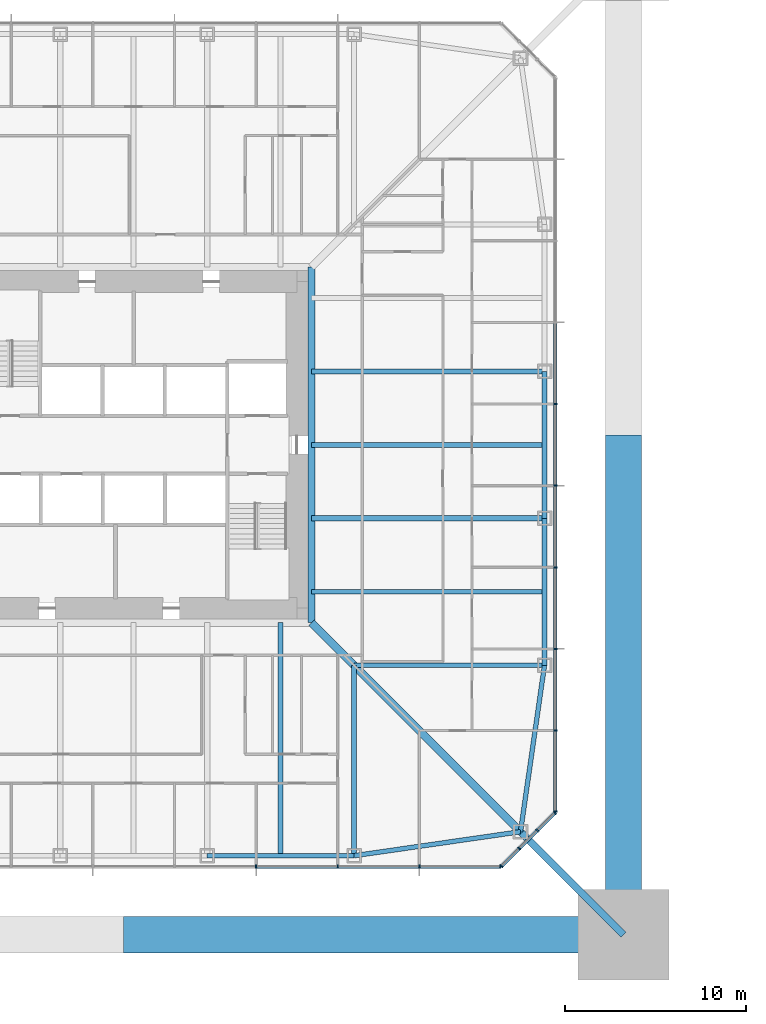
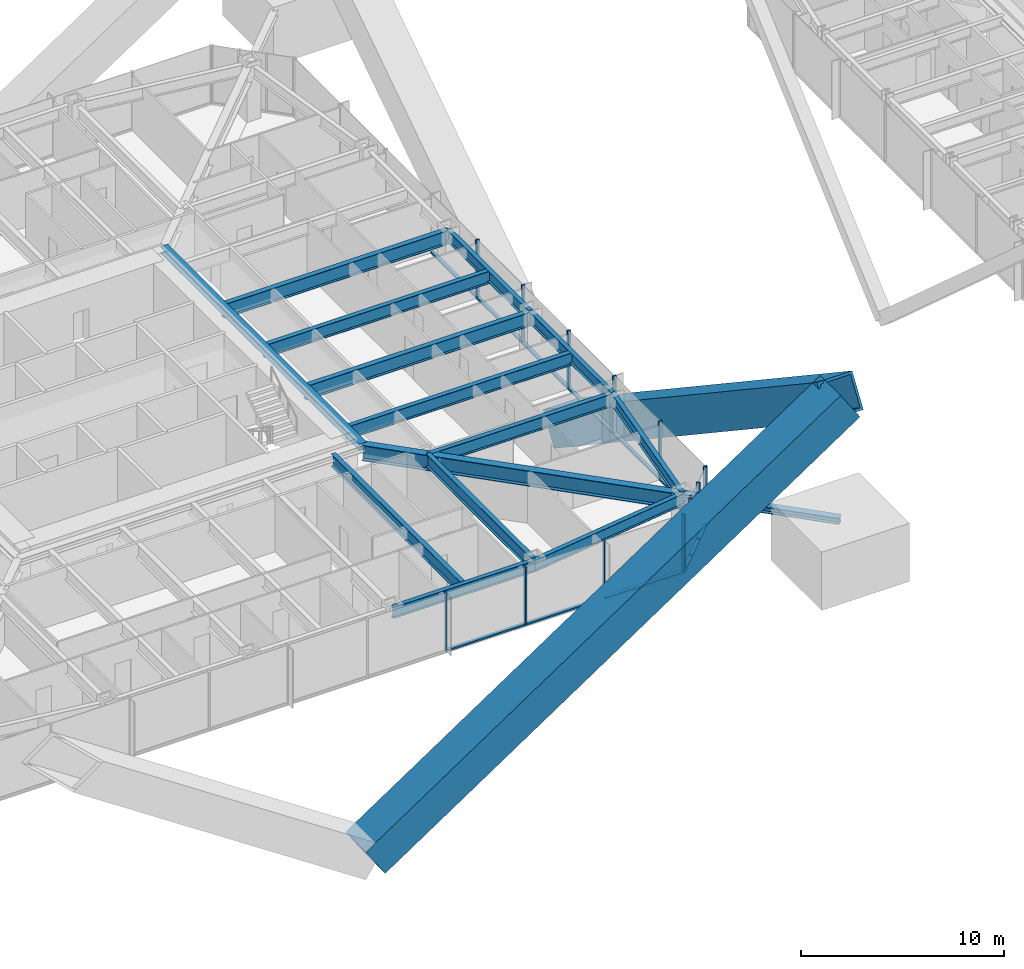
# One storey, part 5 of 27: 29 members, 14 beams, 3 elements without a shape of their own.
"""IFC4 building model written with IfcOpenShell, lengths in metres."""

from ifc_helpers import new_model, si_unit, direction, frame, origin, origin_2d, place, context, subcontext, project, spatial, rectangle, hollow_rectangle, i_section, extrude, material, material_profile, profile_set, type_object, element, aggregate, save


model = new_model("IFC4")

# Units and contexts
model_context = context("Model", 3, precision=1e-05, world=origin(), true_north=direction((0.0, 1.0)))
body_context = subcontext(model_context, "Body", "Model", "MODEL_VIEW")
ifc_project = project(units=[si_unit("LENGTHUNIT", "METRE"), si_unit("AREAUNIT", "SQUARE_METRE"), si_unit("VOLUMEUNIT", "CUBIC_METRE"), si_unit("PLANEANGLEUNIT", "RADIAN"), si_unit("MASSUNIT", "GRAM", prefix="KILO")], contexts=[model_context])

# Site, building, storey
site_placement = place(None, origin())
site = spatial("IfcSite", under=ifc_project, at=site_placement, CompositionType="ELEMENT")
building_placement = place(site_placement, origin())
building = spatial("IfcBuilding", under=site, at=building_placement, Name="Iwan Alto Co-Living Towers", CompositionType="ELEMENT")
storey_placement = place(building_placement, frame((0.0, 0.0, 25.5)))
storey = spatial("IfcBuildingStorey", under=building, at=storey_placement, Name="L06", CompositionType="ELEMENT", Elevation=25.5)

# Curtain wall, members
ifc_material_1 = material(Name="Bronze aluminium unitised frame", Category="aluminium")
curtain_wall_type_1 = type_object("IfcCurtainWallType", Name="CURTAIN WALL CW-A", PredefinedType="NOTDEFINED", material=ifc_material_1)
curtain_wall_1_placement = place(storey_placement, origin())
curtain_wall_1 = element("IfcCurtainWall", 1, at=curtain_wall_1_placement, inside=storey, type_object=curtain_wall_type_1, Name="T1 curtain wall S L06", PredefinedType="NOTDEFINED")
ifc_material_2 = material(Name="Aluminium 6063-T6 bronze anodised", Category="aluminium")
ifc_material_profile_1 = material_profile(ifc_material_2, rectangle(XDim=0.199951171875, YDim=0.080078125, at=origin_2d()), Name="AL 80X200")
ifc_profile_set_1 = profile_set([ifc_material_profile_1], Name="Aluminium 6063-T6 bronze anodised")
member_type_1 = type_object("IfcMemberType", Name="CW-A MULLION 80X200", PredefinedType="MULLION", material=ifc_profile_set_1)
member_1_placement = place(storey_placement, frame((6.75, -23.25, 0.0), z_axis=(0.0, 0.0, 1.0), x_axis=(0.0, 1.0, 0.0)))
member_1 = element("IfcMember", 2, at=member_1_placement, type_object=member_type_1, Name="CW-A mullion 7", PredefinedType="MULLION", context=body_context, shape_type="SweptSolid", body=[
    extrude(rectangle(XDim=0.199951171875, YDim=0.080078125, at=origin_2d()), origin(), (0.0, 0.0, 1.0), 3.5),
])
member_2_placement = place(storey_placement, frame((11.25, -23.25, 0.0), z_axis=(0.0, 0.0, 1.0), x_axis=(0.0, 1.0, 0.0)))
member_2 = element("IfcMember", 3, at=member_2_placement, type_object=member_type_1, Name="CW-A mullion 8", PredefinedType="MULLION", context=body_context, shape_type="SweptSolid", body=[
    extrude(rectangle(XDim=0.199951171875, YDim=0.080078125, at=origin_2d()), origin(), (0.0, 0.0, 1.0), 3.5),
])
member_3_placement = place(storey_placement, frame((15.75, -23.25, 0.0), z_axis=(0.0, 0.0, 1.0), x_axis=(0.0, 1.0, 0.0)))
member_3 = element("IfcMember", 4, at=member_3_placement, type_object=member_type_1, Name="CW-A mullion 9", PredefinedType="MULLION", context=body_context, shape_type="SweptSolid", body=[
    extrude(rectangle(XDim=0.199951171875, YDim=0.080078125, at=origin_2d()), origin(), (0.0, 0.0, 1.0), 3.5),
])
member_4_placement = place(storey_placement, frame((20.2099609375, -23.25, 0.0), z_axis=(0.0, 0.0, 1.0), x_axis=(0.0, 1.0, 0.0)))
member_4 = element("IfcMember", 5, at=member_4_placement, type_object=member_type_1, Name="CW-A mullion 10", PredefinedType="MULLION", context=body_context, shape_type="SweptSolid", body=[
    extrude(rectangle(XDim=0.199951171875, YDim=0.080078125, at=origin_2d()), origin(), (0.0, 0.0, 1.0), 3.5),
])

curtain_wall_2_placement = place(storey_placement, origin())
curtain_wall_2 = element("IfcCurtainWall", 6, at=curtain_wall_2_placement, inside=storey, type_object=curtain_wall_type_1, Name="T1 curtain wall E L06", PredefinedType="NOTDEFINED")
member_5_placement = place(storey_placement, frame((23.25, -20.2099609375, 0.0), z_axis=(0.0, 0.0, 1.0), x_axis=(-1.0, 0.0, 0.0)))
member_5 = element("IfcMember", 7, at=member_5_placement, type_object=member_type_1, Name="CW-A mullion 1", PredefinedType="MULLION", context=body_context, shape_type="SweptSolid", body=[
    extrude(rectangle(XDim=0.199951171875, YDim=0.080078125, at=origin_2d()), origin(), (0.0, 0.0, 1.0), 3.5),
])
member_6_placement = place(storey_placement, frame((23.25, -15.75, 0.0), z_axis=(0.0, 0.0, 1.0), x_axis=(-1.0, 0.0, 0.0)))
member_6 = element("IfcMember", 8, at=member_6_placement, type_object=member_type_1, Name="CW-A mullion 2", PredefinedType="MULLION", context=body_context, shape_type="SweptSolid", body=[
    extrude(rectangle(XDim=0.199951171875, YDim=0.080078125, at=origin_2d()), origin(), (0.0, 0.0, 1.0), 3.5),
])
member_7_placement = place(storey_placement, frame((23.25, -11.25, 0.0), z_axis=(0.0, 0.0, 1.0), x_axis=(-1.0, 0.0, 0.0)))
member_7 = element("IfcMember", 9, at=member_7_placement, type_object=member_type_1, Name="CW-A mullion 3", PredefinedType="MULLION", context=body_context, shape_type="SweptSolid", body=[
    extrude(rectangle(XDim=0.199951171875, YDim=0.080078125, at=origin_2d()), origin(), (0.0, 0.0, 1.0), 3.5),
])
member_8_placement = place(storey_placement, frame((23.25, -6.75, 0.0), z_axis=(0.0, 0.0, 1.0), x_axis=(-1.0, 0.0, 0.0)))
member_8 = element("IfcMember", 10, at=member_8_placement, type_object=member_type_1, Name="CW-A mullion 4", PredefinedType="MULLION", context=body_context, shape_type="SweptSolid", body=[
    extrude(rectangle(XDim=0.199951171875, YDim=0.080078125, at=origin_2d()), origin(), (0.0, 0.0, 1.0), 3.5),
])
member_9_placement = place(storey_placement, frame((23.25, -2.25, 0.0), z_axis=(0.0, 0.0, 1.0), x_axis=(-1.0, 0.0, 0.0)))
member_9 = element("IfcMember", 11, at=member_9_placement, type_object=member_type_1, Name="CW-A mullion 5", PredefinedType="MULLION", context=body_context, shape_type="SweptSolid", body=[
    extrude(rectangle(XDim=0.199951171875, YDim=0.080078125, at=origin_2d()), origin(), (0.0, 0.0, 1.0), 3.5),
])
member_10_placement = place(storey_placement, frame((23.25, 2.25, 0.0), z_axis=(0.0, 0.0, 1.0), x_axis=(-1.0, 0.0, 0.0)))
member_10 = element("IfcMember", 12, at=member_10_placement, type_object=member_type_1, Name="CW-A mullion 6", PredefinedType="MULLION", context=body_context, shape_type="SweptSolid", body=[
    extrude(rectangle(XDim=0.199951171875, YDim=0.080078125, at=origin_2d()), origin(), (0.0, 0.0, 1.0), 3.5),
])

# Member
ifc_material_3 = material(Name="Aluminium 6063-T6 bronze anodised", Category="aluminium")
ifc_material_profile_2 = material_profile(ifc_material_3, rectangle(XDim=0.199951171875, YDim=0.10009765625, at=origin_2d()), Name="AL 200X100")
ifc_profile_set_2 = profile_set([ifc_material_profile_2], Name="Aluminium 6063-T6 bronze anodised")
member_type_2 = type_object("IfcMemberType", Name="CW-A TRANSOM 200X100", PredefinedType="USERDEFINED", material=ifc_profile_set_2)
member_11_placement = place(storey_placement, frame((6.7900390625, -23.25, 0.050048828125), z_axis=(1.0, 0.0, 0.0), x_axis=(0.0, 1.0, 0.0)))
member_11 = element("IfcMember", 13, at=member_11_placement, type_object=member_type_2, Name="CW-A transom 7.1", ObjectType="TRANSOM", PredefinedType="USERDEFINED", context=body_context, shape_type="SweptSolid", body=[
    extrude(rectangle(XDim=0.199951171875, YDim=0.10009765625, at=origin_2d()), origin(), (0.0, 0.0, 1.0), 4.419921875),
])

member_12_placement = place(storey_placement, frame((11.2900390625, -23.25, 0.050048828125), z_axis=(1.0, 0.0, 0.0), x_axis=(0.0, 1.0, 0.0)))
member_12 = element("IfcMember", 14, at=member_12_placement, type_object=member_type_2, Name="CW-A transom 8.1", ObjectType="TRANSOM", PredefinedType="USERDEFINED", context=body_context, shape_type="SweptSolid", body=[
    extrude(rectangle(XDim=0.199951171875, YDim=0.10009765625, at=origin_2d()), origin(), (0.0, 0.0, 1.0), 4.419921875),
])

member_13_placement = place(storey_placement, frame((15.7900390625, -23.25, 0.050048828125), z_axis=(1.0, 0.0, 0.0), x_axis=(0.0, 1.0, 0.0)))
member_13 = element("IfcMember", 15, at=member_13_placement, type_object=member_type_2, Name="CW-A transom 9.1", ObjectType="TRANSOM", PredefinedType="USERDEFINED", context=body_context, shape_type="SweptSolid", body=[
    extrude(rectangle(XDim=0.199951171875, YDim=0.10009765625, at=origin_2d()), origin(), (0.0, 0.0, 1.0), 4.3798828125),
])

aggregate(curtain_wall_1, [member_1, member_2, member_3, member_4, member_11, member_12, member_13])

member_14_placement = place(storey_placement, frame((23.25, -20.169921875, 0.050048828125), z_axis=(0.0, 1.0, 0.0), x_axis=(-1.0, 0.0, 0.0)))
member_14 = element("IfcMember", 16, at=member_14_placement, type_object=member_type_2, Name="CW-A transom 1.1", ObjectType="TRANSOM", PredefinedType="USERDEFINED", context=body_context, shape_type="SweptSolid", body=[
    extrude(rectangle(XDim=0.199951171875, YDim=0.10009765625, at=origin_2d()), origin(), (0.0, 0.0, 1.0), 4.3798828125),
])

member_15_placement = place(storey_placement, frame((23.25, -15.7099609375, 0.050048828125), z_axis=(0.0, 1.0, 0.0), x_axis=(-1.0, 0.0, 0.0)))
member_15 = element("IfcMember", 17, at=member_15_placement, type_object=member_type_2, Name="CW-A transom 2.1", ObjectType="TRANSOM", PredefinedType="USERDEFINED", context=body_context, shape_type="SweptSolid", body=[
    extrude(rectangle(XDim=0.199951171875, YDim=0.10009765625, at=origin_2d()), origin(), (0.0, 0.0, 1.0), 4.419921875),
])

member_16_placement = place(storey_placement, frame((23.25, -11.2099609375, 0.050048828125), z_axis=(0.0, 1.0, 0.0), x_axis=(-1.0, 0.0, 0.0)))
member_16 = element("IfcMember", 18, at=member_16_placement, type_object=member_type_2, Name="CW-A transom 3.1", ObjectType="TRANSOM", PredefinedType="USERDEFINED", context=body_context, shape_type="SweptSolid", body=[
    extrude(rectangle(XDim=0.199951171875, YDim=0.10009765625, at=origin_2d()), origin(), (0.0, 0.0, 1.0), 4.419921875),
])

member_17_placement = place(storey_placement, frame((23.25, -6.7099609375, 0.050048828125), z_axis=(0.0, 1.0, 0.0), x_axis=(-1.0, 0.0, 0.0)))
member_17 = element("IfcMember", 19, at=member_17_placement, type_object=member_type_2, Name="CW-A transom 4.1", ObjectType="TRANSOM", PredefinedType="USERDEFINED", context=body_context, shape_type="SweptSolid", body=[
    extrude(rectangle(XDim=0.199951171875, YDim=0.10009765625, at=origin_2d()), origin(), (0.0, 0.0, 1.0), 4.419921875),
])

member_18_placement = place(storey_placement, frame((23.25, -2.2099609375, 0.050048828125), z_axis=(0.0, 1.0, 0.0), x_axis=(-1.0, 0.0, 0.0)))
member_18 = element("IfcMember", 20, at=member_18_placement, type_object=member_type_2, Name="CW-A transom 5.1", ObjectType="TRANSOM", PredefinedType="USERDEFINED", context=body_context, shape_type="SweptSolid", body=[
    extrude(rectangle(XDim=0.199951171875, YDim=0.10009765625, at=origin_2d()), origin(), (0.0, 0.0, 1.0), 4.419921875),
])

member_19_placement = place(storey_placement, frame((23.25, 2.2900390625, 0.050048828125), z_axis=(0.0, 1.0, 0.0), x_axis=(-1.0, 0.0, 0.0)))
member_19 = element("IfcMember", 21, at=member_19_placement, type_object=member_type_2, Name="CW-A transom 6.1", ObjectType="TRANSOM", PredefinedType="USERDEFINED", context=body_context, shape_type="SweptSolid", body=[
    extrude(rectangle(XDim=0.199951171875, YDim=0.10009765625, at=origin_2d()), origin(), (0.0, 0.0, 1.0), 4.419921875),
])

aggregate(curtain_wall_2, [member_5, member_6, member_7, member_8, member_9, member_10, member_14, member_15, member_16, member_17, member_18, member_19])

# Curtain wall, members
ifc_material_4 = material(Name="Bronze aluminium unitised frame", Category="aluminium")
curtain_wall_type_2 = type_object("IfcCurtainWallType", Name="CURTAIN WALL CW-B", PredefinedType="NOTDEFINED", material=ifc_material_4)
curtain_wall_3_placement = place(storey_placement, origin())
curtain_wall_3 = element("IfcCurtainWall", 22, at=curtain_wall_3_placement, inside=storey, type_object=curtain_wall_type_2, Name="T1 chamfer curtain wall SE L06", PredefinedType="NOTDEFINED")
ifc_material_5 = material(Name="Aluminium 6063-T6 bronze anodised", Category="aluminium")
ifc_material_profile_3 = material_profile(ifc_material_5, rectangle(XDim=0.199951171875, YDim=0.080078125, at=origin_2d()), Name="AL 80X200")
ifc_profile_set_3 = profile_set([ifc_material_profile_3], Name="Aluminium 6063-T6 bronze anodised")
member_type_3 = type_object("IfcMemberType", Name="CW-B MULLION 80X200", PredefinedType="MULLION", material=ifc_profile_set_3)
member_20_placement = place(storey_placement, frame((20.2783203125, -23.2216796875, 0.0), z_axis=(0.0, 0.0, 1.0), x_axis=(-0.707106781187, 0.707106781187, 0.0)))
member_20 = element("IfcMember", 23, at=member_20_placement, type_object=member_type_3, Name="CW-B mullion 1", PredefinedType="MULLION", context=body_context, shape_type="SweptSolid", body=[
    extrude(rectangle(XDim=0.199951171875, YDim=0.080078125, at=origin_2d()), origin(), (0.0, 0.0, 1.0), 3.5),
])
member_21_placement = place(storey_placement, frame((21.25, -22.25, 0.0), z_axis=(0.0, 0.0, 1.0), x_axis=(-0.707106781187, 0.707106781187, 0.0)))
member_21 = element("IfcMember", 24, at=member_21_placement, type_object=member_type_3, Name="CW-B mullion 2", PredefinedType="MULLION", context=body_context, shape_type="SweptSolid", body=[
    extrude(rectangle(XDim=0.199951171875, YDim=0.080078125, at=origin_2d()), origin(), (0.0, 0.0, 1.0), 3.5),
])
member_22_placement = place(storey_placement, frame((22.25, -21.25, 0.0), z_axis=(0.0, 0.0, 1.0), x_axis=(-0.707106781187, 0.707106781187, 0.0)))
member_22 = element("IfcMember", 25, at=member_22_placement, type_object=member_type_3, Name="CW-B mullion 3", PredefinedType="MULLION", context=body_context, shape_type="SweptSolid", body=[
    extrude(rectangle(XDim=0.199951171875, YDim=0.080078125, at=origin_2d()), origin(), (0.0, 0.0, 1.0), 3.5),
])
member_23_placement = place(storey_placement, frame((23.2216796875, -20.2783203125, 0.0), z_axis=(0.0, 0.0, 1.0), x_axis=(-0.707106781187, 0.707106781187, 0.0)))
member_23 = element("IfcMember", 26, at=member_23_placement, type_object=member_type_3, Name="CW-B mullion 4", PredefinedType="MULLION", context=body_context, shape_type="SweptSolid", body=[
    extrude(rectangle(XDim=0.199951171875, YDim=0.080078125, at=origin_2d()), origin(), (0.0, 0.0, 1.0), 3.5),
])
ifc_material_6 = material(Name="Aluminium 6063-T6 bronze anodised", Category="aluminium")
ifc_material_profile_4 = material_profile(ifc_material_6, rectangle(XDim=0.199951171875, YDim=0.10009765625, at=origin_2d()), Name="AL 200X100")
ifc_profile_set_4 = profile_set([ifc_material_profile_4], Name="Aluminium 6063-T6 bronze anodised")
member_type_4 = type_object("IfcMemberType", Name="CW-B TRANSOM 200X100", PredefinedType="USERDEFINED", material=ifc_profile_set_4)
member_24_placement = place(storey_placement, frame((20.306640625, -23.193359375, 0.050048828125), z_axis=(0.707106781187, 0.707106781187, 0.0), x_axis=(-0.707106781187, 0.707106781187, 0.0)))
member_24 = element("IfcMember", 27, at=member_24_placement, type_object=member_type_4, Name="CW-B transom 1.1", ObjectType="TRANSOM", PredefinedType="USERDEFINED", context=body_context, shape_type="SweptSolid", body=[
    extrude(rectangle(XDim=0.199951171875, YDim=0.10009765625, at=origin_2d()), origin(), (0.0, 0.0, 1.0), 1.2939453125),
])
member_25_placement = place(storey_placement, frame((21.2783203125, -22.2216796875, 0.050048828125), z_axis=(0.707106781187, 0.707106781187, 0.0), x_axis=(-0.707106781187, 0.707106781187, 0.0)))
member_25 = element("IfcMember", 28, at=member_25_placement, type_object=member_type_4, Name="CW-B transom 2.1", ObjectType="TRANSOM", PredefinedType="USERDEFINED", context=body_context, shape_type="SweptSolid", body=[
    extrude(rectangle(XDim=0.199951171875, YDim=0.10009765625, at=origin_2d()), origin(), (0.0, 0.0, 1.0), 1.334228515625),
])
member_26_placement = place(storey_placement, frame((22.2783203125, -21.2216796875, 0.050048828125), z_axis=(0.707106781187, 0.707106781187, 0.0), x_axis=(-0.707106781187, 0.707106781187, 0.0)))
member_26 = element("IfcMember", 29, at=member_26_placement, type_object=member_type_4, Name="CW-B transom 3.1", ObjectType="TRANSOM", PredefinedType="USERDEFINED", context=body_context, shape_type="SweptSolid", body=[
    extrude(rectangle(XDim=0.199951171875, YDim=0.10009765625, at=origin_2d()), origin(), (0.0, 0.0, 1.0), 1.2939453125),
])
aggregate(curtain_wall_3, [member_20, member_21, member_22, member_23, member_24, member_25, member_26])

# Beams
ifc_material_7 = material(Name="Steel ASTM A992 Gr 50", Category="steel")
ifc_material_profile_5 = material_profile(ifc_material_7, i_section(OverallWidth=0.40380859375, OverallDepth=0.406494140625, WebThickness=0.027099609375, FlangeThickness=0.043701171875, at=origin_2d()), Name="W14X233")
ifc_profile_set_5 = profile_set([ifc_material_profile_5], Name="Steel ASTM A992 Gr 50")
beam_type_1 = type_object("IfcBeamType", Name="T1 CORE LEDGER BEAM W14X233", PredefinedType="BEAM", material=ifc_profile_set_5)
beam_1_placement = place(storey_placement, frame((9.802001953125, -9.802001953125, 3.06689453125), z_axis=(0.0, 1.0, 0.0), x_axis=(-1.0, 0.0, 0.0)))
element("IfcBeam", 30, at=beam_1_placement, inside=storey, type_object=beam_type_1, Name="T1 core ledger beam E L07", PredefinedType="BEAM", context=body_context, shape_type="SweptSolid", body=[
    extrude(i_section(OverallWidth=0.40380859375, OverallDepth=0.406494140625, WebThickness=0.027099609375, FlangeThickness=0.043701171875, at=origin_2d()), origin(), (0.0, 0.0, 1.0), 19.60400390625),
])
ifc_material_8 = material(Name="Steel ASTM A992 Gr 50", Category="steel")
ifc_material_profile_6 = material_profile(ifc_material_8, i_section(OverallWidth=0.419189453125, OverallDepth=0.927001953125, WebThickness=0.019287109375, FlangeThickness=0.031982421875, at=origin_2d()), Name="W36X231")
ifc_profile_set_6 = profile_set([ifc_material_profile_6], Name="Steel ASTM A992 Gr 50")
beam_type_2 = type_object("IfcBeamType", Name="T1 CORNER GIRDER W36X231", PredefinedType="BEAM", material=ifc_profile_set_6)
beam_2_placement = place(storey_placement, frame((21.32568359375, -21.32568359375, 2.806396484375), z_axis=(-0.707106781187, 0.707106781187, 0.0), x_axis=(-0.707106781187, -0.707106781187, 0.0)))
element("IfcBeam", 31, at=beam_2_placement, inside=storey, type_object=beam_type_2, Name="T1 corner girder CSE L07", PredefinedType="BEAM", context=body_context, shape_type="SweptSolid", body=[
    extrude(i_section(OverallWidth=0.419189453125, OverallDepth=0.927001953125, WebThickness=0.019287109375, FlangeThickness=0.031982421875, at=origin_2d()), origin(), (0.0, 0.0, 1.0), 16.296875),
])
ifc_material_9 = material(Name="Steel ASTM A992 Gr 50", Category="steel")
ifc_material_profile_7 = material_profile(ifc_material_9, i_section(OverallWidth=0.25390625, OverallDepth=0.683349609375, WebThickness=0.012451171875, FlangeThickness=0.018798828125, at=origin_2d()), Name="W27X94")
ifc_profile_set_7 = profile_set([ifc_material_profile_7], Name="Steel ASTM A992 Gr 50")
beam_type_3 = type_object("IfcBeamType", Name="T1 EDGE BEAM W27X94", PredefinedType="BEAM", material=ifc_profile_set_7)
beam_3_placement = place(storey_placement, frame((4.050048828125, -22.64990234375, 2.928466796875), z_axis=(1.0, 0.0, 0.0), x_axis=(0.0, 1.0, 0.0)))
element("IfcBeam", 32, at=beam_3_placement, inside=storey, type_object=beam_type_3, Name="T1 edge beam S3 L07", PredefinedType="BEAM", context=body_context, shape_type="SweptSolid", body=[
    extrude(i_section(OverallWidth=0.25390625, OverallDepth=0.683349609375, WebThickness=0.012451171875, FlangeThickness=0.018798828125, at=origin_2d()), origin(), (0.0, 0.0, 1.0), 8.099853515625),
])
for number, where, z_axis, x_axis, name in (
    (33, (12.14990234375, -22.64990234375, 2.928466796875), (0.989746234347, 0.142836940589, 0.0), (-0.142836940589, 0.989746234347, 0.0), "T1 edge beam S4 L07"),
    (34, (21.32568359375, -21.32568359375, 2.928466796875), (0.142836940589, 0.989746234347, 0.0), (-0.989746234347, 0.142836940589, 0.0), "T1 edge beam CSE L07"),
):
    element("IfcBeam", number, at=place(storey_placement, frame(where, z_axis=z_axis, x_axis=x_axis)), inside=storey, type_object=beam_type_3, Name=name, PredefinedType="BEAM", context=body_context, shape_type="SweptSolid", body=[
        extrude(i_section(OverallWidth=0.25390625, OverallDepth=0.683349609375, WebThickness=0.012451171875, FlangeThickness=0.018798828125, at=origin_2d()), origin(), (0.0, 0.0, 1.0), 9.270751953125),
    ])
beam_4_placement = place(storey_placement, frame((22.64990234375, -12.14990234375, 2.928466796875), z_axis=(0.0, 1.0, 0.0), x_axis=(-1.0, 0.0, 0.0)))
element("IfcBeam", 35, at=beam_4_placement, inside=storey, type_object=beam_type_3, Name="T1 edge beam E1 L07", PredefinedType="BEAM", context=body_context, shape_type="SweptSolid", body=[
    extrude(i_section(OverallWidth=0.25390625, OverallDepth=0.683349609375, WebThickness=0.012451171875, FlangeThickness=0.018798828125, at=origin_2d()), origin(), (0.0, 0.0, 1.0), 8.099853515625),
])
beam_5_placement = place(storey_placement, frame((22.64990234375, -4.050048828125, 2.928466796875), z_axis=(0.0, 1.0, 0.0), x_axis=(-1.0, 0.0, 0.0)))
element("IfcBeam", 36, at=beam_5_placement, inside=storey, type_object=beam_type_3, Name="T1 edge beam E2 L07", PredefinedType="BEAM", context=body_context, shape_type="SweptSolid", body=[
    extrude(i_section(OverallWidth=0.25390625, OverallDepth=0.683349609375, WebThickness=0.012451171875, FlangeThickness=0.018798828125, at=origin_2d()), origin(), (0.0, 0.0, 1.0), 8.10009765625),
])

# Members
ifc_material_10 = material(Name="Steel ASTM A572 Gr 42", Category="steel")
ifc_material_profile_8 = material_profile(ifc_material_10, hollow_rectangle(XDim=2.0, YDim=2.0, WallThickness=0.139892578125, at=origin_2d()), Name="BOX 2000X2000X140")
ifc_profile_set_8 = profile_set([ifc_material_profile_8], Name="Steel ASTM A572 Gr 42")
member_type_5 = type_object("IfcMemberType", Name="T1 MEGA BRACE BOX 2000X2000X140", PredefinedType="BRACE", material=ifc_profile_set_8)
for number, where, z_axis, x_axis, name in (
    (37, (0.0, -27.0, -7.5), (0.832050294338, 0.0, 0.554700196225), (0.0, 1.0, 0.0), "T1 mega brace Z1A S 1 upper"),
    (38, (27.0, 0.0, -7.5), (0.0, -0.832050294338, 0.554700196225), (1.0, 0.0, 0.0), "T1 mega brace Z1A E 2 upper"),
):
    element("IfcMember", number, at=place(storey_placement, frame(where, z_axis=z_axis, x_axis=x_axis)), inside=storey, type_object=member_type_5, Name=name, PredefinedType="BRACE", context=body_context, shape_type="SweptSolid", body=[
        extrude(hollow_rectangle(XDim=2.0, YDim=2.0, WallThickness=0.139892578125, at=origin_2d()), origin(), (0.0, 0.0, 1.0), 32.449951171875),
    ])
ifc_material_11 = material(Name="Steel ASTM A992 Gr 50", Category="steel")
ifc_material_profile_9 = material_profile(ifc_material_11, i_section(OverallWidth=0.393798828125, OverallDepth=0.3759765625, WebThickness=0.017333984375, FlangeThickness=0.027587890625, at=origin_2d()), Name="W14X145")
ifc_profile_set_9 = profile_set([ifc_material_profile_9], Name="Steel ASTM A992 Gr 50")
member_type_6 = type_object("IfcMemberType", Name="T1 MEGA COLUMN FLOOR TIE W14X145", PredefinedType="STRUT", material=ifc_profile_set_9)
member_27_placement = place(storey_placement, frame((27.0, -27.0, 3.08203125), z_axis=(-0.707106781187, 0.707106781187, 0.0), x_axis=(-0.707106781187, -0.707106781187, 0.0)))
element("IfcMember", 39, at=member_27_placement, inside=storey, type_object=member_type_6, Name="T1 mega column floor tie SE L07", PredefinedType="STRUT", context=body_context, shape_type="SweptSolid", body=[
    extrude(i_section(OverallWidth=0.393798828125, OverallDepth=0.3759765625, WebThickness=0.017333984375, FlangeThickness=0.027587890625, at=origin_2d()), origin(), (0.0, 0.0, 1.0), 8.024658203125),
])

# Beams
ifc_material_12 = material(Name="Steel ASTM A992 Gr 50", Category="steel")
ifc_material_profile_10 = material_profile(ifc_material_12, i_section(OverallWidth=0.2666015625, OverallDepth=0.761962890625, WebThickness=0.014404296875, FlangeThickness=0.021484375, at=origin_2d()), Name="W30X116")
ifc_profile_set_10 = profile_set([ifc_material_profile_10], Name="Steel ASTM A992 Gr 50")
beam_type_4 = type_object("IfcBeamType", Name="T1 RADIAL BEAM W30X116", PredefinedType="BEAM", material=ifc_profile_set_10)
for number, where, z_axis, x_axis, name in (
    (40, (12.14990234375, -22.64990234375, 2.888916015625), (0.0, 1.0, 0.0), (-1.0, 0.0, 0.0), "T1 radial beam S4 L07"),
    (41, (22.64990234375, -12.14990234375, 2.888916015625), (-1.0, 0.0, 0.0), (0.0, -1.0, 0.0), "T1 radial beam E1 L07"),
):
    element("IfcBeam", number, at=place(storey_placement, frame(where, z_axis=z_axis, x_axis=x_axis)), inside=storey, type_object=beam_type_4, Name=name, PredefinedType="BEAM", context=body_context, shape_type="SweptSolid", body=[
        extrude(i_section(OverallWidth=0.2666015625, OverallDepth=0.761962890625, WebThickness=0.014404296875, FlangeThickness=0.021484375, at=origin_2d()), origin(), (0.0, 0.0, 1.0), 10.5),
    ])
ifc_material_13 = material(Name="Steel ASTM A992 Gr 50", Category="steel")
ifc_material_profile_11 = material_profile(ifc_material_13, i_section(OverallWidth=0.2919921875, OverallDepth=0.8408203125, WebThickness=0.0146484375, FlangeThickness=0.021728515625, at=origin_2d()), Name="W33X130")
ifc_profile_set_11 = profile_set([ifc_material_profile_11], Name="Steel ASTM A992 Gr 50")
beam_type_5 = type_object("IfcBeamType", Name="T1 RADIAL BEAM W33X130", PredefinedType="BEAM", material=ifc_profile_set_11)
for number, where, z_axis, x_axis, name in (
    (42, (22.64990234375, -4.050048828125, 2.849609375), (-1.0, 0.0, 0.0), (0.0, -1.0, 0.0), "T1 radial beam E2 L07"),
    (43, (22.64990234375, 4.050048828125, 2.849609375), (-1.0, 0.0, 0.0), (0.0, -1.0, 0.0), "T1 radial beam E3 L07"),
):
    element("IfcBeam", number, at=place(storey_placement, frame(where, z_axis=z_axis, x_axis=x_axis)), inside=storey, type_object=beam_type_5, Name=name, PredefinedType="BEAM", context=body_context, shape_type="SweptSolid", body=[
        extrude(i_section(OverallWidth=0.2919921875, OverallDepth=0.8408203125, WebThickness=0.0146484375, FlangeThickness=0.021728515625, at=origin_2d()), origin(), (0.0, 0.0, 1.0), 12.847900390625),
    ])
ifc_material_14 = material(Name="Steel ASTM A992 Gr 50", Category="steel")
ifc_material_profile_12 = material_profile(ifc_material_14, i_section(OverallWidth=0.2666015625, OverallDepth=0.761962890625, WebThickness=0.014404296875, FlangeThickness=0.021484375, at=origin_2d()), Name="W30X116")
ifc_profile_set_12 = profile_set([ifc_material_profile_12], Name="Steel ASTM A992 Gr 50")
beam_type_6 = type_object("IfcBeamType", Name="T1 SECONDARY BEAM W30X116", PredefinedType="JOIST", material=ifc_profile_set_12)
for number, where, z_axis, x_axis, name in (
    (44, (8.10009765625, -22.64990234375, 2.888916015625), (0.0, 1.0, 0.0), (-1.0, 0.0, 0.0), "T1 secondary beam S3 L07"),
    (45, (22.64990234375, -8.10009765625, 2.888916015625), (-1.0, 0.0, 0.0), (0.0, -1.0, 0.0), "T1 secondary beam E1 L07"),
    (46, (22.64990234375, 0.0, 2.888916015625), (-1.0, 0.0, 0.0), (0.0, -1.0, 0.0), "T1 secondary beam E2 L07"),
):
    element("IfcBeam", number, at=place(storey_placement, frame(where, z_axis=z_axis, x_axis=x_axis)), inside=storey, type_object=beam_type_6, Name=name, PredefinedType="JOIST", context=body_context, shape_type="SweptSolid", body=[
        extrude(i_section(OverallWidth=0.2666015625, OverallDepth=0.761962890625, WebThickness=0.014404296875, FlangeThickness=0.021484375, at=origin_2d()), origin(), (0.0, 0.0, 1.0), 12.847900390625),
    ])

save(model, "model.ifc")
